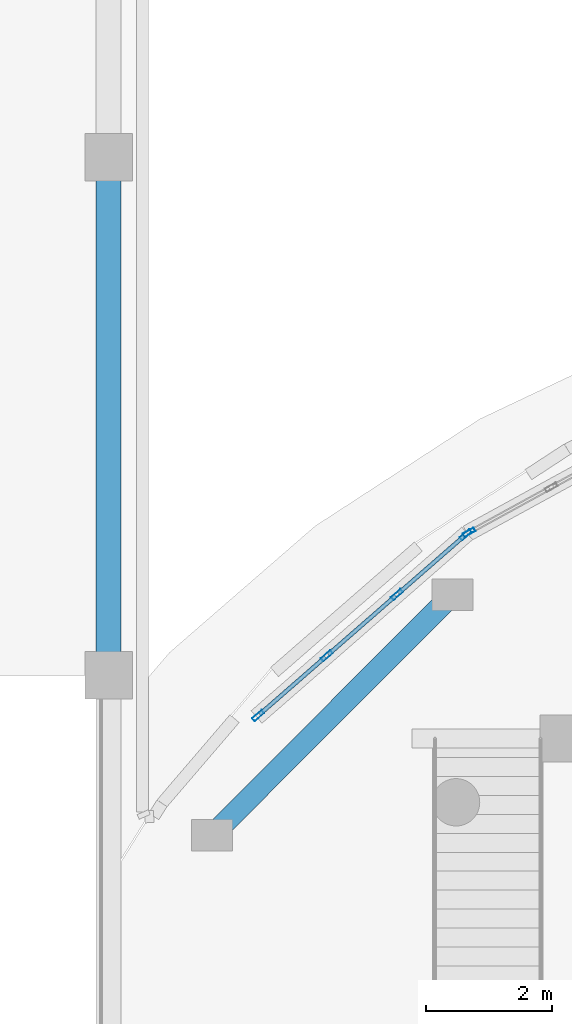
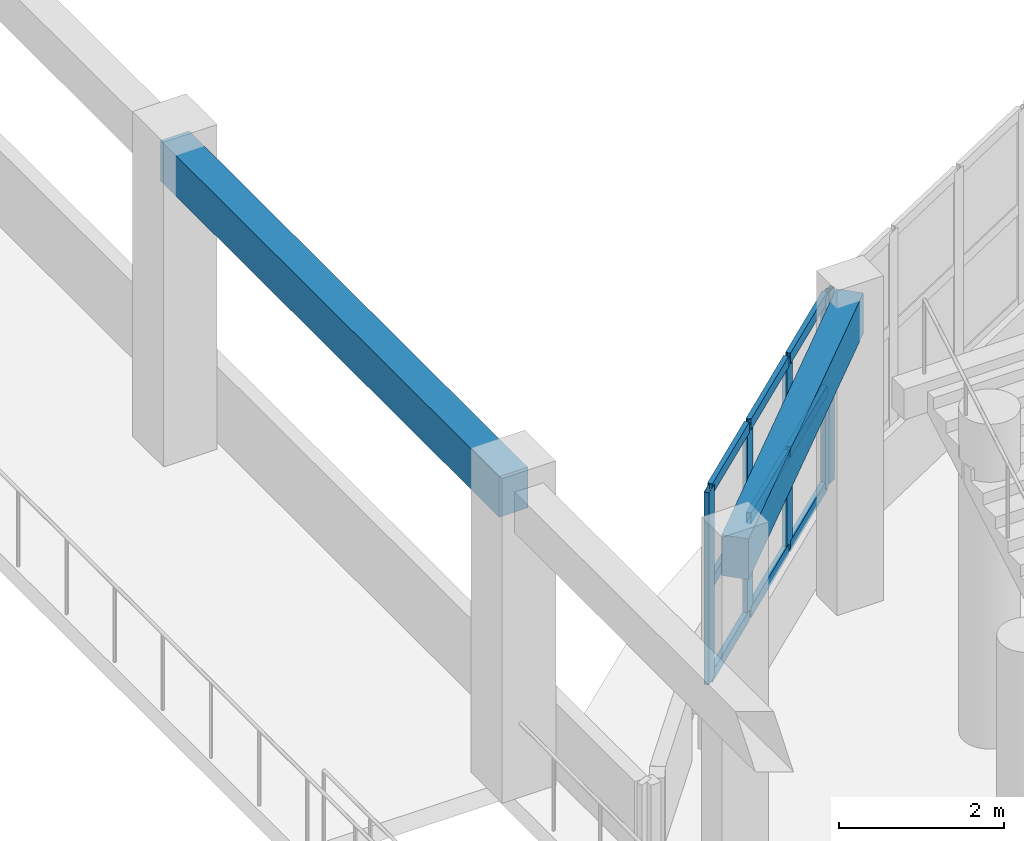
# One storey, part 31 of 98: 14 members, 2 beams, 2 elements without a shape of their own.
"""IFC4 building model written with IfcOpenShell, lengths in metres."""

import ifcopenshell
import ifcopenshell.guid

model = None  # the IFC model being written
_history = None  # IfcOwnerHistory: only IFC2X3 demands one
_inside = {}  # id of a spatial element -> (the spatial element, [elements in it])
_under = {}  # id of a project, library or spatial element -> (it, [spatial elements below it])
_declared = {}  # id of a project -> (the project, [libraries it declares])
_typed = {}  # id of a type object -> (the type object, [elements of that type])
_made_of = {}  # id of a material, layer set ... -> (it, [elements and type objects made of it])


def new_model(schema):
    """Start an empty IFC model of exactly this schema.

    Asked for "IFC4X3", IfcOpenShell would pick the latest addendum, in which some entities
    have other attributes; the version numbers below select the first issue.
    IFC2X3 requires an IfcOwnerHistory on every rooted entity: one is made here for all.
    """
    global model, _history
    if schema == "IFC4X3":
        model = ifcopenshell.file(schema_version=(4, 3, 0, 0))
    else:
        model = ifcopenshell.file(schema=schema)
    _inside.clear()
    _under.clear()
    _declared.clear()
    _typed.clear()
    _made_of.clear()
    _history = None
    if model.schema == "IFC2X3":
        org = make("IfcOrganization", Name="unknown")
        user = make(
            "IfcPersonAndOrganization",
            ThePerson=make("IfcPerson", FamilyName="unknown"),
            TheOrganization=org,
        )
        app = make(
            "IfcApplication",
            ApplicationDeveloper=org,
            Version="unknown",
            ApplicationFullName="unknown",
            ApplicationIdentifier="unknown",
        )
        _history = make(
            "IfcOwnerHistory",
            OwningUser=user,
            OwningApplication=app,
            ChangeAction="ADDED",
            CreationDate=0,
        )
    return model


def make(cls, **values):
    """One entity of the class cls with the attributes given. An attribute that is None is left unset."""
    return model.create_entity(
        cls, **{name: value for name, value in values.items() if value is not None}
    )


def rooted(cls, **values):
    """An entity with a GlobalId (a new one), such as an element, a storey or a relation."""
    return make(cls, GlobalId=ifcopenshell.guid.new(), OwnerHistory=_history, **values)


def si_unit(unit_type, name, prefix=None):
    """IfcSIUnit, for example si_unit("LENGTHUNIT", "METRE", prefix="MILLI")."""
    return make("IfcSIUnit", UnitType=unit_type, Prefix=prefix, Name=name)


def assignment(units):
    """IfcUnitAssignment: the units of a project."""
    return None if units is None else make("IfcUnitAssignment", Units=units)


def point(xyz):
    """IfcCartesianPoint."""
    return None if xyz is None else make("IfcCartesianPoint", Coordinates=xyz)


def direction(xyz):
    """IfcDirection."""
    return None if xyz is None else make("IfcDirection", DirectionRatios=xyz)


def frame(location, z_axis=None, x_axis=None):
    """IfcAxis2Placement3D, a coordinate frame: its origin and axes. An axis left out is left unset."""
    return make(
        "IfcAxis2Placement3D",
        Location=point(location),
        Axis=direction(z_axis),
        RefDirection=direction(x_axis),
    )


def frame_2d(location, x_axis=None):
    """IfcAxis2Placement2D, a coordinate frame in the plane: its origin and x axis."""
    return make(
        "IfcAxis2Placement2D", Location=point(location), RefDirection=direction(x_axis)
    )


def origin():
    """The frame at (0, 0, 0) with its axes left unset."""
    return frame((0.0, 0.0, 0.0))


def origin_2d():
    """The frame at (0, 0) in the plane with its x axis left unset."""
    return frame_2d((0.0, 0.0))


def place(relative_to, where):
    """IfcLocalPlacement: puts the frame where relative to a parent placement (None: the world)."""
    return make(
        "IfcLocalPlacement", PlacementRelTo=relative_to, RelativePlacement=where
    )


def context(
    kind, dimensions, precision=None, world=None, true_north=None, identifier=None
):
    """IfcGeometricRepresentationContext, for example the 3D "Model" context."""
    return make(
        "IfcGeometricRepresentationContext",
        ContextIdentifier=identifier,
        ContextType=kind,
        CoordinateSpaceDimension=dimensions,
        Precision=precision,
        WorldCoordinateSystem=world,
        TrueNorth=true_north,
    )


def subcontext(parent, identifier, kind, view, scale=None):
    """IfcGeometricRepresentationSubContext, for example "Body" below "Model"."""
    return make(
        "IfcGeometricRepresentationSubContext",
        ContextIdentifier=identifier,
        ContextType=kind,
        ParentContext=parent,
        TargetScale=scale,
        TargetView=view,
    )


def project(units=None, contexts=None):
    """IfcProject with its units and contexts."""
    return rooted(
        "IfcProject",
        Name="project",
        RepresentationContexts=contexts,
        UnitsInContext=assignment(units),
    )


def spatial(cls, under=None, at=None, **own):
    """A site, building, storey or space (cls), placed at a placement, below another one or the project."""
    s = rooted(cls, ObjectPlacement=at, **own)
    if under is not None:
        _under.setdefault(under.id(), (under, []))[1].append(s)
    return s


def profile(cls, at=None, kind="AREA", **sizes):
    """A parametric profile (cls). Its sizes go by their IFC names, for example OverallWidth=200.0."""
    return make(cls, ProfileType=kind, Position=at, **sizes)


def rectangle(**sizes):
    """IfcRectangleProfileDef."""
    return profile("IfcRectangleProfileDef", **sizes)


def hollow_rectangle(**sizes):
    """IfcRectangleHollowProfileDef."""
    return profile("IfcRectangleHollowProfileDef", **sizes)


def extrude(swept, where, along, depth):
    """IfcExtrudedAreaSolid: the profile swept, set in the frame where, extruded along a direction by depth."""
    return make(
        "IfcExtrudedAreaSolid",
        SweptArea=swept,
        Position=where,
        ExtrudedDirection=direction(along),
        Depth=depth,
    )


def shape(context_of_items, identifier, shape_type, items):
    """IfcShapeRepresentation: the items that make up one representation, for example the "Body"."""
    return make(
        "IfcShapeRepresentation",
        ContextOfItems=context_of_items,
        RepresentationIdentifier=identifier,
        RepresentationType=shape_type,
        Items=items,
    )


def material(Name=None, Category=None):
    """IfcMaterial."""
    return make("IfcMaterial", Name=Name, Category=Category)


def layer(
    of_material, thickness, ventilated=None, Name=None, Category=None, Priority=None
):
    """IfcMaterialLayer: one layer of a wall or slab, of a material (None: an air gap)."""
    return make(
        "IfcMaterialLayer",
        Material=of_material,
        LayerThickness=thickness,
        IsVentilated=ventilated,
        Name=Name,
        Category=Category,
        Priority=Priority,
    )


def layer_set(layers, Name=None):
    """IfcMaterialLayerSet."""
    return make("IfcMaterialLayerSet", MaterialLayers=layers, LayerSetName=Name)


def material_profile(
    of_material, cross_section, Name=None, Category=None, Priority=None
):
    """IfcMaterialProfile: a cross section and its material."""
    return make(
        "IfcMaterialProfile",
        Name=Name,
        Material=of_material,
        Profile=cross_section,
        Priority=Priority,
        Category=Category,
    )


def profile_set(profiles, Name=None, composite=None):
    """IfcMaterialProfileSet."""
    return make(
        "IfcMaterialProfileSet",
        Name=Name,
        MaterialProfiles=profiles,
        CompositeProfile=composite,
    )


def made_of(thing, what):
    """Note that an element or type object is made of a material, layer set ...; save() writes the relation."""
    if what is not None:
        _made_of.setdefault(what.id(), (what, []))[1].append(thing)
    return thing


def type_object(cls, material=None, **own):
    """A type object (cls), such as IfcWallType, which elements share."""
    return made_of(rooted(cls, **own), material)


def element(
    cls,
    number,
    at=None,
    inside=None,
    cuts=None,
    type_object=None,
    material=None,
    context=None,
    identifier="Body",
    shape_type=None,
    held_by="IfcProductDefinitionShape",
    body=None,
    shapes=None,
    **own,
):
    """One element of the class cls, such as IfcWall. Its Tag is "e" and its number.

    at: its placement. inside: the storey or other place that contains it. cuts: it is an
    opening in that element (IfcRelVoidsElement). A single representation is given by context,
    identifier, shape_type and body (its items); several are given by shapes. held_by: the class
    of the entity that holds the representations. save() writes the other relations.
    """
    e = rooted(cls, Tag="e%d" % number, ObjectPlacement=at, **own)
    if body is not None:
        shapes = [shape(context, identifier, shape_type, body)]
    if shapes is not None:
        e.Representation = make(held_by, Representations=shapes)
    if inside is not None:
        _inside.setdefault(inside.id(), (inside, []))[1].append(e)
    if cuts is not None:
        rooted(
            "IfcRelVoidsElement", RelatingBuildingElement=cuts, RelatedOpeningElement=e
        )
    if type_object is not None:
        _typed.setdefault(type_object.id(), (type_object, []))[1].append(e)
    return made_of(e, material)


def aggregate(whole, parts):
    """IfcRelAggregates: a whole, such as a stair, and the parts it consists of."""
    return rooted("IfcRelAggregates", RelatingObject=whole, RelatedObjects=parts)


def save(model, path):
    """Write the relations noted so far, then the file.

    IfcRelAggregates (storeys below a building ...), IfcRelContainedInSpatialStructure (elements
    in a storey), IfcRelDefinesByType, IfcRelAssociatesMaterial and IfcRelDeclares: one each for
    every whole, place, type object, material and project.
    """
    for whole, parts in _under.values():
        aggregate(whole, parts)
    for where, things in _inside.values():
        rooted(
            "IfcRelContainedInSpatialStructure",
            RelatedElements=things,
            RelatingStructure=where,
        )
    for kind, things in _typed.values():
        rooted("IfcRelDefinesByType", RelatedObjects=things, RelatingType=kind)
    for what, things in _made_of.values():
        rooted("IfcRelAssociatesMaterial", RelatedObjects=things, RelatingMaterial=what)
    for by, libraries in _declared.values():
        rooted("IfcRelDeclares", RelatingContext=by, RelatedDefinitions=libraries)
    model.write(path)


model = new_model("IFC4")

# Units and contexts
model_context = context("Model", 3, precision=1e-05, world=origin(), true_north=direction((0.0, 1.0)))
body_context = subcontext(model_context, "Body", "Model", "MODEL_VIEW")
ifc_project = project(units=[si_unit("LENGTHUNIT", "METRE"), si_unit("AREAUNIT", "SQUARE_METRE"), si_unit("VOLUMEUNIT", "CUBIC_METRE"), si_unit("PLANEANGLEUNIT", "RADIAN"), si_unit("MASSUNIT", "GRAM", prefix="KILO")], contexts=[model_context])

# Site, building, storey
site_placement = place(None, origin())
site = spatial("IfcSite", under=ifc_project, at=site_placement, CompositionType="ELEMENT")
building_placement = place(site_placement, origin())
building = spatial("IfcBuilding", under=site, at=building_placement, Name="Pelvatis Terrace Science Centre", CompositionType="ELEMENT")
storey_placement = place(building_placement, frame((0.0, 0.0, 5.39990234375)))
storey = spatial("IfcBuildingStorey", under=building, at=storey_placement, Name="L01", CompositionType="ELEMENT", Elevation=5.39990234375)

# Beam
ifc_material_1 = material(Name="Concrete C35/45", Category="concrete")
ifc_material_profile_1 = material_profile(ifc_material_1, rectangle(XDim=0.39990234375, YDim=0.60009765625, at=origin_2d()), Name="RC-BM 400x600")
ifc_profile_set_1 = profile_set([ifc_material_profile_1], Name="Concrete C35/45")
beam_type_1 = type_object("IfcBeamType", Name="BM-RC-400x600", PredefinedType="BEAM", material=ifc_profile_set_1)
beam_1_placement = place(storey_placement, frame((58.199951171875, 65.800048828125, 4.239990234375), z_axis=(0.0, 1.0, 0.0), x_axis=(-1.0, 0.0, 0.0)))
element("IfcBeam", 1, at=beam_1_placement, inside=storey, type_object=beam_type_1, Name="Beam BM-L01-2837", PredefinedType="BEAM", context=body_context, shape_type="SweptSolid", body=[
    extrude(rectangle(XDim=0.39990234375, YDim=0.60009765625, at=origin_2d()), origin(), (0.0, 0.0, 1.0), 8.199951171875),
])

# Curtain wall, member
ifc_material_2 = material(Name="Bronze-anodised aluminium and laminated glass", Category="aluminium")
ifc_layer = layer(ifc_material_2, 0.199951171875)
ifc_layer_set = layer_set([ifc_layer], Name="Bronze-anodised aluminium and laminated glass")
curtain_wall_type = type_object("IfcCurtainWallType", Name="CW-RIBBON-B", PredefinedType="NOTDEFINED", material=ifc_layer_set)
curtain_wall_1_placement = place(storey_placement, origin())
curtain_wall_1 = element("IfcCurtainWall", 2, at=curtain_wall_1_placement, inside=storey, type_object=curtain_wall_type, Name="Ribbon curtain wall CW-066 (L01)", PredefinedType="NOTDEFINED")
ifc_material_3 = material(Name="Bronze-anodised aluminium 6063-T6", Category="aluminium")
ifc_material_profile_2 = material_profile(ifc_material_3, hollow_rectangle(XDim=0.06494140625, YDim=0.199951171875, WallThickness=0.00439453125, at=origin_2d()), Name="ALU-MUL 65x200")
ifc_profile_set_2 = profile_set([ifc_material_profile_2], Name="Bronze-anodised aluminium 6063-T6")
member_type_1 = type_object("IfcMemberType", Name="CWM-65x200", PredefinedType="MULLION", material=ifc_profile_set_2)
member_1_placement = place(storey_placement, frame((63.904052734375, 68.062255859375, 1.02001953125), z_axis=(0.0, 0.0, 1.0), x_axis=(0.480406389857, -0.877046008248, 0.0)))
member_1 = element("IfcMember", 3, at=member_1_placement, type_object=member_type_1, Name="CW-066 mullion 4", PredefinedType="MULLION", context=body_context, shape_type="SweptSolid", body=[
    extrude(hollow_rectangle(XDim=0.06494140625, YDim=0.199951171875, WallThickness=0.00439453125, at=origin_2d()), origin(), (0.0, 0.0, 1.0), 2.840087890625),
])
aggregate(curtain_wall_1, [member_1])

# Curtain wall, members
curtain_wall_2_placement = place(storey_placement, origin())
curtain_wall_2 = element("IfcCurtainWall", 4, at=curtain_wall_2_placement, inside=storey, type_object=curtain_wall_type, Name="Ribbon curtain wall CW-067 (L01)", PredefinedType="NOTDEFINED")
member_2_placement = place(storey_placement, frame((63.85107421875, 68.025146484375, 1.02001953125), z_axis=(0.0, 0.0, 1.0), x_axis=(0.657112137007, -0.753792835863, 0.0)))
member_2 = element("IfcMember", 5, at=member_2_placement, type_object=member_type_1, Name="CW-067 mullion 1", PredefinedType="MULLION", context=body_context, shape_type="SweptSolid", body=[
    extrude(hollow_rectangle(XDim=0.06494140625, YDim=0.199951171875, WallThickness=0.00439453125, at=origin_2d()), origin(), (0.0, 0.0, 1.0), 2.840087890625),
])
member_3_placement = place(storey_placement, frame((62.764404296875, 67.078125, 1.02001953125), z_axis=(0.0, 0.0, 1.0), x_axis=(0.657112137007, -0.753792835863, 0.0)))
member_3 = element("IfcMember", 6, at=member_3_placement, type_object=member_type_1, Name="CW-067 mullion 2", PredefinedType="MULLION", context=body_context, shape_type="SweptSolid", body=[
    extrude(hollow_rectangle(XDim=0.06494140625, YDim=0.199951171875, WallThickness=0.00439453125, at=origin_2d()), origin(), (0.0, 0.0, 1.0), 2.840087890625),
])
member_4_placement = place(storey_placement, frame((61.6533203125, 66.109619140625, 1.02001953125), z_axis=(0.0, 0.0, 1.0), x_axis=(0.657112137007, -0.753792835863, 0.0)))
member_4 = element("IfcMember", 7, at=member_4_placement, type_object=member_type_1, Name="CW-067 mullion 3", PredefinedType="MULLION", context=body_context, shape_type="SweptSolid", body=[
    extrude(hollow_rectangle(XDim=0.06494140625, YDim=0.199951171875, WallThickness=0.00439453125, at=origin_2d()), origin(), (0.0, 0.0, 1.0), 2.840087890625),
])
member_5_placement = place(storey_placement, frame((60.56689453125, 65.162353515625, 1.02001953125), z_axis=(0.0, 0.0, 1.0), x_axis=(0.657112137007, -0.753792835863, 0.0)))
member_5 = element("IfcMember", 8, at=member_5_placement, type_object=member_type_1, Name="CW-067 mullion 4", PredefinedType="MULLION", context=body_context, shape_type="SweptSolid", body=[
    extrude(hollow_rectangle(XDim=0.06494140625, YDim=0.199951171875, WallThickness=0.00439453125, at=origin_2d()), origin(), (0.0, 0.0, 1.0), 2.840087890625),
])
ifc_material_4 = material(Name="Bronze-anodised aluminium 6063-T6", Category="aluminium")
ifc_material_profile_3 = material_profile(ifc_material_4, hollow_rectangle(XDim=0.06494140625, YDim=0.159912109375, WallThickness=0.00390625, at=origin_2d()), Name="ALU-TRN 65x160")
ifc_profile_set_3 = profile_set([ifc_material_profile_3], Name="Bronze-anodised aluminium 6063-T6")
member_type_2 = type_object("IfcMemberType", Name="CWT-65x160", PredefinedType="USERDEFINED", material=ifc_profile_set_3)
member_6_placement = place(storey_placement, frame((63.826416015625, 68.00390625, 1.052490234375), z_axis=(-0.753707391379, -0.657210140047, 0.0), x_axis=(0.657210140047, -0.753707391379, 0.0)))
member_6 = element("IfcMember", 9, at=member_6_placement, type_object=member_type_2, Name="CW-067 transom 1.1", ObjectType="TRANSOM", PredefinedType="USERDEFINED", context=body_context, shape_type="SweptSolid", body=[
    extrude(hollow_rectangle(XDim=0.06494140625, YDim=0.159912109375, WallThickness=0.00390625, at=origin_2d()), origin(), (0.0, 0.0, 1.0), 1.376220703125),
])
member_7_placement = place(storey_placement, frame((63.826416015625, 68.00390625, 2.440185546875), z_axis=(-0.753707391379, -0.657210140047, 0.0), x_axis=(0.657210140047, -0.753707391379, 0.0)))
member_7 = element("IfcMember", 10, at=member_7_placement, type_object=member_type_2, Name="CW-067 transom 1.2", ObjectType="TRANSOM", PredefinedType="USERDEFINED", context=body_context, shape_type="SweptSolid", body=[
    extrude(hollow_rectangle(XDim=0.06494140625, YDim=0.159912109375, WallThickness=0.00390625, at=origin_2d()), origin(), (0.0, 0.0, 1.0), 1.376220703125),
])
member_8_placement = place(storey_placement, frame((63.826416015625, 68.00390625, 3.82763671875), z_axis=(-0.753707391379, -0.657210140047, 0.0), x_axis=(0.657210140047, -0.753707391379, 0.0)))
member_8 = element("IfcMember", 11, at=member_8_placement, type_object=member_type_2, Name="CW-067 transom 1.3", ObjectType="TRANSOM", PredefinedType="USERDEFINED", context=body_context, shape_type="SweptSolid", body=[
    extrude(hollow_rectangle(XDim=0.06494140625, YDim=0.159912109375, WallThickness=0.00390625, at=origin_2d()), origin(), (0.0, 0.0, 1.0), 1.376220703125),
])
member_9_placement = place(storey_placement, frame((62.739990234375, 67.056640625, 1.052490234375), z_axis=(-0.753799139893, -0.657104905397, 0.0), x_axis=(0.657104905397, -0.753799139893, 0.0)))
member_9 = element("IfcMember", 12, at=member_9_placement, type_object=member_type_2, Name="CW-067 transom 2.1", ObjectType="TRANSOM", PredefinedType="USERDEFINED", context=body_context, shape_type="SweptSolid", body=[
    extrude(hollow_rectangle(XDim=0.06494140625, YDim=0.159912109375, WallThickness=0.00390625, at=origin_2d()), origin(), (0.0, 0.0, 1.0), 1.408935546875),
])
member_10_placement = place(storey_placement, frame((62.739990234375, 67.056640625, 2.440185546875), z_axis=(-0.753799139893, -0.657104905397, 0.0), x_axis=(0.657104905397, -0.753799139893, 0.0)))
member_10 = element("IfcMember", 13, at=member_10_placement, type_object=member_type_2, Name="CW-067 transom 2.2", ObjectType="TRANSOM", PredefinedType="USERDEFINED", context=body_context, shape_type="SweptSolid", body=[
    extrude(hollow_rectangle(XDim=0.06494140625, YDim=0.159912109375, WallThickness=0.00390625, at=origin_2d()), origin(), (0.0, 0.0, 1.0), 1.408935546875),
])
member_11_placement = place(storey_placement, frame((62.739990234375, 67.056640625, 3.82763671875), z_axis=(-0.753799139893, -0.657104905397, 0.0), x_axis=(0.657104905397, -0.753799139893, 0.0)))
member_11 = element("IfcMember", 14, at=member_11_placement, type_object=member_type_2, Name="CW-067 transom 2.3", ObjectType="TRANSOM", PredefinedType="USERDEFINED", context=body_context, shape_type="SweptSolid", body=[
    extrude(hollow_rectangle(XDim=0.06494140625, YDim=0.159912109375, WallThickness=0.00390625, at=origin_2d()), origin(), (0.0, 0.0, 1.0), 1.408935546875),
])
member_12_placement = place(storey_placement, frame((61.62890625, 66.088134765625, 1.052490234375), z_axis=(-0.753783992912, -0.65712228088, 0.0), x_axis=(0.65712228088, -0.753783992912, 0.0)))
member_12 = element("IfcMember", 15, at=member_12_placement, type_object=member_type_2, Name="CW-067 transom 3.1", ObjectType="TRANSOM", PredefinedType="USERDEFINED", context=body_context, shape_type="SweptSolid", body=[
    extrude(hollow_rectangle(XDim=0.06494140625, YDim=0.159912109375, WallThickness=0.00390625, at=origin_2d()), origin(), (0.0, 0.0, 1.0), 1.37646484375),
])
member_13_placement = place(storey_placement, frame((61.62890625, 66.088134765625, 2.440185546875), z_axis=(-0.753783992912, -0.65712228088, 0.0), x_axis=(0.65712228088, -0.753783992912, 0.0)))
member_13 = element("IfcMember", 16, at=member_13_placement, type_object=member_type_2, Name="CW-067 transom 3.2", ObjectType="TRANSOM", PredefinedType="USERDEFINED", context=body_context, shape_type="SweptSolid", body=[
    extrude(hollow_rectangle(XDim=0.06494140625, YDim=0.159912109375, WallThickness=0.00390625, at=origin_2d()), origin(), (0.0, 0.0, 1.0), 1.37646484375),
])
member_14_placement = place(storey_placement, frame((61.62890625, 66.088134765625, 3.82763671875), z_axis=(-0.753783992912, -0.65712228088, 0.0), x_axis=(0.65712228088, -0.753783992912, 0.0)))
member_14 = element("IfcMember", 17, at=member_14_placement, type_object=member_type_2, Name="CW-067 transom 3.3", ObjectType="TRANSOM", PredefinedType="USERDEFINED", context=body_context, shape_type="SweptSolid", body=[
    extrude(hollow_rectangle(XDim=0.06494140625, YDim=0.159912109375, WallThickness=0.00390625, at=origin_2d()), origin(), (0.0, 0.0, 1.0), 1.37646484375),
])
aggregate(curtain_wall_2, [member_2, member_3, member_4, member_5, member_6, member_7, member_8, member_9, member_10, member_11, member_12, member_13, member_14])

# Beam
ifc_material_5 = material(Name="Concrete C35/45", Category="concrete")
ifc_material_profile_4 = material_profile(ifc_material_5, rectangle(XDim=0.340087890625, YDim=0.60009765625, at=origin_2d()), Name="RC-SPN 340x600")
ifc_profile_set_4 = profile_set([ifc_material_profile_4], Name="Concrete C35/45")
beam_type_2 = type_object("IfcBeamType", Name="SPN-RC-340x600", PredefinedType="SPANDREL", material=ifc_profile_set_4)
beam_2_placement = place(storey_placement, frame((63.640869140625, 67.076904296875, 4.239990234375), z_axis=(-0.70663024078, -0.707583000655, 0.0), x_axis=(0.707583000655, -0.70663024078, 0.0)))
element("IfcBeam", 18, at=beam_2_placement, inside=storey, type_object=beam_type_2, Name="Spandrel SP-L01-2664", PredefinedType="SPANDREL", context=body_context, shape_type="SweptSolid", body=[
    extrude(rectangle(XDim=0.340087890625, YDim=0.60009765625, at=origin_2d()), origin(), (0.0, 0.0, 1.0), 5.381103515625),
])

save(model, "model.ifc")
